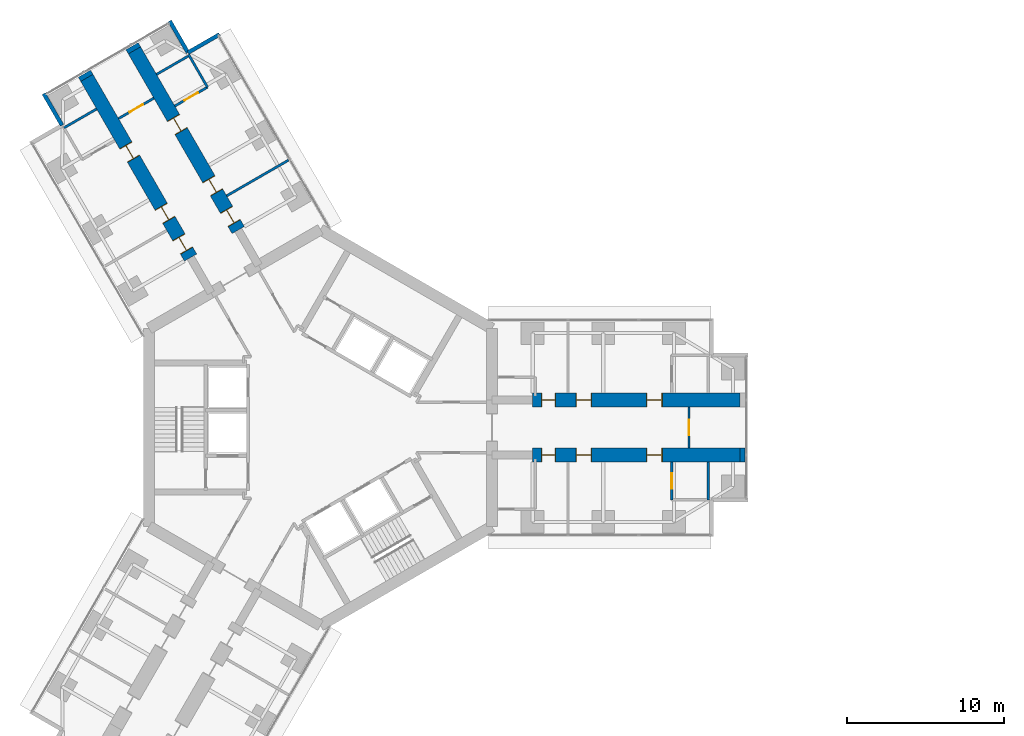
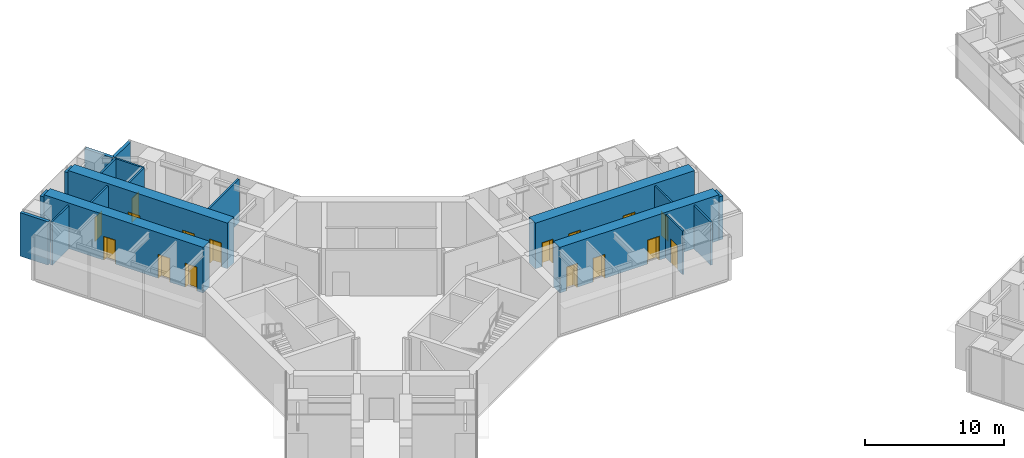
# One storey, part 19 of 24: 19 walls, 16 doors, 16 openings.
"""IFC4 building model written with IfcOpenShell, lengths in metres."""

import ifcopenshell
import ifcopenshell.guid

model = None  # the IFC model being written
_history = None  # IfcOwnerHistory: only IFC2X3 demands one
_inside = {}  # id of a spatial element -> (the spatial element, [elements in it])
_under = {}  # id of a project, library or spatial element -> (it, [spatial elements below it])
_declared = {}  # id of a project -> (the project, [libraries it declares])
_typed = {}  # id of a type object -> (the type object, [elements of that type])
_made_of = {}  # id of a material, layer set ... -> (it, [elements and type objects made of it])


def new_model(schema):
    """Start an empty IFC model of exactly this schema.

    Asked for "IFC4X3", IfcOpenShell would pick the latest addendum, in which some entities
    have other attributes; the version numbers below select the first issue.
    IFC2X3 requires an IfcOwnerHistory on every rooted entity: one is made here for all.
    """
    global model, _history
    if schema == "IFC4X3":
        model = ifcopenshell.file(schema_version=(4, 3, 0, 0))
    else:
        model = ifcopenshell.file(schema=schema)
    _inside.clear()
    _under.clear()
    _declared.clear()
    _typed.clear()
    _made_of.clear()
    _history = None
    if model.schema == "IFC2X3":
        org = make("IfcOrganization", Name="unknown")
        user = make(
            "IfcPersonAndOrganization",
            ThePerson=make("IfcPerson", FamilyName="unknown"),
            TheOrganization=org,
        )
        app = make(
            "IfcApplication",
            ApplicationDeveloper=org,
            Version="unknown",
            ApplicationFullName="unknown",
            ApplicationIdentifier="unknown",
        )
        _history = make(
            "IfcOwnerHistory",
            OwningUser=user,
            OwningApplication=app,
            ChangeAction="ADDED",
            CreationDate=0,
        )
    return model


def make(cls, **values):
    """One entity of the class cls with the attributes given. An attribute that is None is left unset."""
    return model.create_entity(
        cls, **{name: value for name, value in values.items() if value is not None}
    )


def rooted(cls, **values):
    """An entity with a GlobalId (a new one), such as an element, a storey or a relation."""
    return make(cls, GlobalId=ifcopenshell.guid.new(), OwnerHistory=_history, **values)


def si_unit(unit_type, name, prefix=None):
    """IfcSIUnit, for example si_unit("LENGTHUNIT", "METRE", prefix="MILLI")."""
    return make("IfcSIUnit", UnitType=unit_type, Prefix=prefix, Name=name)


def assignment(units):
    """IfcUnitAssignment: the units of a project."""
    return None if units is None else make("IfcUnitAssignment", Units=units)


def point(xyz):
    """IfcCartesianPoint."""
    return None if xyz is None else make("IfcCartesianPoint", Coordinates=xyz)


def direction(xyz):
    """IfcDirection."""
    return None if xyz is None else make("IfcDirection", DirectionRatios=xyz)


def frame(location, z_axis=None, x_axis=None):
    """IfcAxis2Placement3D, a coordinate frame: its origin and axes. An axis left out is left unset."""
    return make(
        "IfcAxis2Placement3D",
        Location=point(location),
        Axis=direction(z_axis),
        RefDirection=direction(x_axis),
    )


def frame_2d(location, x_axis=None):
    """IfcAxis2Placement2D, a coordinate frame in the plane: its origin and x axis."""
    return make(
        "IfcAxis2Placement2D", Location=point(location), RefDirection=direction(x_axis)
    )


def origin():
    """The frame at (0, 0, 0) with its axes left unset."""
    return frame((0.0, 0.0, 0.0))


def place(relative_to, where):
    """IfcLocalPlacement: puts the frame where relative to a parent placement (None: the world)."""
    return make(
        "IfcLocalPlacement", PlacementRelTo=relative_to, RelativePlacement=where
    )


def context(
    kind, dimensions, precision=None, world=None, true_north=None, identifier=None
):
    """IfcGeometricRepresentationContext, for example the 3D "Model" context."""
    return make(
        "IfcGeometricRepresentationContext",
        ContextIdentifier=identifier,
        ContextType=kind,
        CoordinateSpaceDimension=dimensions,
        Precision=precision,
        WorldCoordinateSystem=world,
        TrueNorth=true_north,
    )


def subcontext(parent, identifier, kind, view, scale=None):
    """IfcGeometricRepresentationSubContext, for example "Body" below "Model"."""
    return make(
        "IfcGeometricRepresentationSubContext",
        ContextIdentifier=identifier,
        ContextType=kind,
        ParentContext=parent,
        TargetScale=scale,
        TargetView=view,
    )


def project(units=None, contexts=None):
    """IfcProject with its units and contexts."""
    return rooted(
        "IfcProject",
        Name="project",
        RepresentationContexts=contexts,
        UnitsInContext=assignment(units),
    )


def spatial(cls, under=None, at=None, **own):
    """A site, building, storey or space (cls), placed at a placement, below another one or the project."""
    s = rooted(cls, ObjectPlacement=at, **own)
    if under is not None:
        _under.setdefault(under.id(), (under, []))[1].append(s)
    return s


def profile(cls, at=None, kind="AREA", **sizes):
    """A parametric profile (cls). Its sizes go by their IFC names, for example OverallWidth=200.0."""
    return make(cls, ProfileType=kind, Position=at, **sizes)


def rectangle(**sizes):
    """IfcRectangleProfileDef."""
    return profile("IfcRectangleProfileDef", **sizes)


def extrude(swept, where, along, depth):
    """IfcExtrudedAreaSolid: the profile swept, set in the frame where, extruded along a direction by depth."""
    return make(
        "IfcExtrudedAreaSolid",
        SweptArea=swept,
        Position=where,
        ExtrudedDirection=direction(along),
        Depth=depth,
    )


def shape(context_of_items, identifier, shape_type, items):
    """IfcShapeRepresentation: the items that make up one representation, for example the "Body"."""
    return make(
        "IfcShapeRepresentation",
        ContextOfItems=context_of_items,
        RepresentationIdentifier=identifier,
        RepresentationType=shape_type,
        Items=items,
    )


def material(Name=None, Category=None):
    """IfcMaterial."""
    return make("IfcMaterial", Name=Name, Category=Category)


def layer(
    of_material, thickness, ventilated=None, Name=None, Category=None, Priority=None
):
    """IfcMaterialLayer: one layer of a wall or slab, of a material (None: an air gap)."""
    return make(
        "IfcMaterialLayer",
        Material=of_material,
        LayerThickness=thickness,
        IsVentilated=ventilated,
        Name=Name,
        Category=Category,
        Priority=Priority,
    )


def layer_set(layers, Name=None):
    """IfcMaterialLayerSet."""
    return make("IfcMaterialLayerSet", MaterialLayers=layers, LayerSetName=Name)


def made_of(thing, what):
    """Note that an element or type object is made of a material, layer set ...; save() writes the relation."""
    if what is not None:
        _made_of.setdefault(what.id(), (what, []))[1].append(thing)
    return thing


def type_object(cls, material=None, **own):
    """A type object (cls), such as IfcWallType, which elements share."""
    return made_of(rooted(cls, **own), material)


def element(
    cls,
    number,
    at=None,
    inside=None,
    cuts=None,
    type_object=None,
    material=None,
    context=None,
    identifier="Body",
    shape_type=None,
    held_by="IfcProductDefinitionShape",
    body=None,
    shapes=None,
    **own,
):
    """One element of the class cls, such as IfcWall. Its Tag is "e" and its number.

    at: its placement. inside: the storey or other place that contains it. cuts: it is an
    opening in that element (IfcRelVoidsElement). A single representation is given by context,
    identifier, shape_type and body (its items); several are given by shapes. held_by: the class
    of the entity that holds the representations. save() writes the other relations.
    """
    e = rooted(cls, Tag="e%d" % number, ObjectPlacement=at, **own)
    if body is not None:
        shapes = [shape(context, identifier, shape_type, body)]
    if shapes is not None:
        e.Representation = make(held_by, Representations=shapes)
    if inside is not None:
        _inside.setdefault(inside.id(), (inside, []))[1].append(e)
    if cuts is not None:
        rooted(
            "IfcRelVoidsElement", RelatingBuildingElement=cuts, RelatedOpeningElement=e
        )
    if type_object is not None:
        _typed.setdefault(type_object.id(), (type_object, []))[1].append(e)
    return made_of(e, material)


def fill(opening, filler):
    """IfcRelFillsElement: the door or window that sits in an opening."""
    return rooted(
        "IfcRelFillsElement",
        RelatingOpeningElement=opening,
        RelatedBuildingElement=filler,
    )


def aggregate(whole, parts):
    """IfcRelAggregates: a whole, such as a stair, and the parts it consists of."""
    return rooted("IfcRelAggregates", RelatingObject=whole, RelatedObjects=parts)


def save(model, path):
    """Write the relations noted so far, then the file.

    IfcRelAggregates (storeys below a building ...), IfcRelContainedInSpatialStructure (elements
    in a storey), IfcRelDefinesByType, IfcRelAssociatesMaterial and IfcRelDeclares: one each for
    every whole, place, type object, material and project.
    """
    for whole, parts in _under.values():
        aggregate(whole, parts)
    for where, things in _inside.values():
        rooted(
            "IfcRelContainedInSpatialStructure",
            RelatedElements=things,
            RelatingStructure=where,
        )
    for kind, things in _typed.values():
        rooted("IfcRelDefinesByType", RelatedObjects=things, RelatingType=kind)
    for what, things in _made_of.values():
        rooted("IfcRelAssociatesMaterial", RelatedObjects=things, RelatingMaterial=what)
    for by, libraries in _declared.values():
        rooted("IfcRelDeclares", RelatingContext=by, RelatedDefinitions=libraries)
    model.write(path)


model = new_model("IFC4")

# Units and contexts
model_context = context("Model", 3, precision=1e-05, world=origin(), true_north=direction((0.0, 1.0)))
body_context = subcontext(model_context, "Body", "Model", "MODEL_VIEW")
ifc_project = project(units=[si_unit("LENGTHUNIT", "METRE"), si_unit("AREAUNIT", "SQUARE_METRE"), si_unit("VOLUMEUNIT", "CUBIC_METRE"), si_unit("PLANEANGLEUNIT", "RADIAN"), si_unit("MASSUNIT", "GRAM", prefix="KILO")], contexts=[model_context])

# Site, building, storey
site_placement = place(None, origin())
site = spatial("IfcSite", under=ifc_project, at=site_placement, CompositionType="ELEMENT")
building_placement = place(site_placement, origin())
building = spatial("IfcBuilding", under=site, at=building_placement, Name="Upepo Twin Towers", CompositionType="ELEMENT")
storey_placement = place(building_placement, frame((0.0, 0.0, 48.5)))
storey = spatial("IfcBuildingStorey", under=building, at=storey_placement, Name="L11", CompositionType="ELEMENT", Elevation=48.5)

# Walls
ifc_material_1 = material(Name="Dense concrete blockwork", Category="masonry")
ifc_layer_1 = layer(ifc_material_1, 0.89990234375)
ifc_layer_set_1 = layer_set([ifc_layer_1], Name="Buttress closer 900, blockwork with fire-stopping to the curtain wall")
wall_type_1 = type_object("IfcWallType", Name="Buttress closer 900, blockwork with fire-stopping to the curtain wall", PredefinedType="PARTITIONING", material=ifc_layer_set_1)
for number, where, z_axis, x_axis, name in (
    (1, (26.699951171875, -1.75, 0.0), (0.0, 0.0, 1.0), (1.0, 0.0, 0.0), "T1 L11 wing A buttress closer R"),
    (2, (-14.865478515625, 22.247802734375, 0.0), (0.0, 0.0, 1.0), (-0.499949632511, 0.866054481515, 0.0), "T1 L11 wing B buttress closer L"),
    (3, (-11.83447265625, 23.997802734375, 0.0), (0.0, 0.0, 1.0), (-0.499949632511, 0.866054481515, 0.0), "T1 L11 wing B buttress closer R"),
):
    element("IfcWall", number, at=place(storey_placement, frame(where, z_axis=z_axis, x_axis=x_axis)), inside=storey, type_object=wall_type_1, Name=name, PredefinedType="PARTITIONING", context=body_context, shape_type="SweptSolid", body=[
        extrude(rectangle(XDim=0.31005859375, YDim=0.89990234375, at=frame_2d((0.155029296875, 0.0))), origin(), (0.0, 0.0, 1.0), 3.800048828125),
    ])

# Wall, openings, doors
ifc_material_2 = material(Name="Concrete C60/75", Category="concrete")
ifc_layer_2 = layer(ifc_material_2, 0.89990234375)
ifc_layer_set_2 = layer_set([ifc_layer_2], Name="Concrete C60/75")
wall_type_2 = type_object("IfcWallType", Name="Buttress wall 900 RC", PredefinedType="SHEAR", material=ifc_layer_set_2)
wall_1_placement = place(storey_placement, frame((13.5, 1.75, 0.0), z_axis=(0.0, 0.0, 1.0), x_axis=(1.0, 0.0, 0.0)))
wall_1 = element("IfcWall", 4, at=wall_1_placement, inside=storey, type_object=wall_type_2, Name="T1 wing A buttress wall L part 2", PredefinedType="SHEAR", context=body_context, shape_type="SweptSolid", body=[
    extrude(rectangle(XDim=13.199951171875, YDim=0.89990234375, at=frame_2d((6.60009765625, 0.0))), origin(), (0.0, 0.0, 1.0), 4.0),
])
opening_1_placement = place(wall_1_placement, frame((0.550048828125, 0.0, 0.0)))
opening_1 = element("IfcOpeningElement", 5, at=opening_1_placement, cuts=wall_1, Name="Opening D11", PredefinedType="OPENING", context=body_context, shape_type="SweptSolid", body=[
    extrude(rectangle(XDim=0.89990234375, YDim=2.10009765625, at=frame_2d((0.449951171875, 1.050048828125))), frame((0.0, 0.4599609375, 0.0), z_axis=(0.0, -1.0, 0.0), x_axis=(1.0, 0.0, 0.0)), (0.0, 0.0, 1.0), 0.919921875),
])
opening_2_placement = place(wall_1_placement, frame((2.75, 0.0, 0.0)))
opening_2 = element("IfcOpeningElement", 6, at=opening_2_placement, cuts=wall_1, Name="Opening D1", PredefinedType="OPENING", context=body_context, shape_type="SweptSolid", body=[
    extrude(rectangle(XDim=1.0, YDim=2.10009765625, at=frame_2d((0.5, 1.050048828125))), frame((0.0, 0.4599609375, 0.0), z_axis=(0.0, -1.0, 0.0), x_axis=(1.0, 0.0, 0.0)), (0.0, 0.0, 1.0), 0.919921875),
])
opening_3_placement = place(wall_1_placement, frame((7.25, 0.0, 0.0)))
opening_3 = element("IfcOpeningElement", 7, at=opening_3_placement, cuts=wall_1, Name="Opening D1", PredefinedType="OPENING", context=body_context, shape_type="SweptSolid", body=[
    extrude(rectangle(XDim=1.0, YDim=2.10009765625, at=frame_2d((0.5, 1.050048828125))), frame((0.0, 0.4599609375, 0.0), z_axis=(0.0, -1.0, 0.0), x_axis=(1.0, 0.0, 0.0)), (0.0, 0.0, 1.0), 0.919921875),
])
ifc_material_3 = material(Name="Timber doorset", Category="wood")
door_type_1 = type_object("IfcDoorType", Name="Room door 1000 FD30", OperationType="SINGLE_SWING_LEFT", PredefinedType="DOOR", material=ifc_material_3)
door_1_placement = place(opening_2_placement, origin())
door_1 = element("IfcDoor", 8, at=door_1_placement, inside=storey, type_object=door_type_1, Name="T1 L11 teaching laboratory door", OperationType="SINGLE_SWING_LEFT", OverallHeight=2.10009765625, OverallWidth=1.0, PredefinedType="DOOR", context=body_context, shape_type="SweptSolid", body=[
    extrude(rectangle(XDim=0.92, YDim=2.06009765625, at=frame_2d((0.5, 1.030029296875))), frame((0.0, 0.02490234375, 0.0), z_axis=(0.0, -1.0, 0.0), x_axis=(1.0, 0.0, 0.0)), (0.0, 0.0, 1.0), 0.050048828125),
    extrude(rectangle(XDim=0.04, YDim=2.10009765625, at=frame_2d((0.02001953125, 1.050048828125))), frame((0.0, 0.44970703125, 0.0), z_axis=(0.0, -1.0, 0.0), x_axis=(1.0, 0.0, 0.0)), (0.0, 0.0, 1.0), 0.8994140625),
    extrude(rectangle(XDim=0.04, YDim=2.10009765625, at=frame_2d((0.97998046875, 1.050048828125))), frame((0.0, 0.44970703125, 0.0), z_axis=(0.0, -1.0, 0.0), x_axis=(1.0, 0.0, 0.0)), (0.0, 0.0, 1.0), 0.8994140625),
    extrude(rectangle(XDim=0.92, YDim=0.04, at=frame_2d((0.5, 2.080078125))), frame((0.0, 0.44970703125, 0.0), z_axis=(0.0, -1.0, 0.0), x_axis=(1.0, 0.0, 0.0)), (0.0, 0.0, 1.0), 0.8994140625),
])
fill(opening_2, door_1)
door_2_placement = place(opening_3_placement, origin())
door_2 = element("IfcDoor", 9, at=door_2_placement, inside=storey, type_object=door_type_1, Name="T1 L11 teaching laboratory door", OperationType="SINGLE_SWING_RIGHT", OverallHeight=2.10009765625, OverallWidth=1.0, PredefinedType="DOOR", context=body_context, shape_type="SweptSolid", body=[
    extrude(rectangle(XDim=0.92, YDim=2.06009765625, at=frame_2d((0.5, 1.030029296875))), frame((0.0, 0.02490234375, 0.0), z_axis=(0.0, -1.0, 0.0), x_axis=(1.0, 0.0, 0.0)), (0.0, 0.0, 1.0), 0.050048828125),
    extrude(rectangle(XDim=0.04, YDim=2.10009765625, at=frame_2d((0.02001953125, 1.050048828125))), frame((0.0, 0.44970703125, 0.0), z_axis=(0.0, -1.0, 0.0), x_axis=(1.0, 0.0, 0.0)), (0.0, 0.0, 1.0), 0.8994140625),
    extrude(rectangle(XDim=0.04, YDim=2.10009765625, at=frame_2d((0.97998046875, 1.050048828125))), frame((0.0, 0.44970703125, 0.0), z_axis=(0.0, -1.0, 0.0), x_axis=(1.0, 0.0, 0.0)), (0.0, 0.0, 1.0), 0.8994140625),
    extrude(rectangle(XDim=0.92, YDim=0.04, at=frame_2d((0.5, 2.080078125))), frame((0.0, 0.44970703125, 0.0), z_axis=(0.0, -1.0, 0.0), x_axis=(1.0, 0.0, 0.0)), (0.0, 0.0, 1.0), 0.8994140625),
])
fill(opening_3, door_2)
ifc_material_4 = material(Name="Timber doorset", Category="wood")
door_type_2 = type_object("IfcDoorType", Name="Toilet door 900", OperationType="SINGLE_SWING_LEFT", PredefinedType="DOOR", material=ifc_material_4)
door_3_placement = place(opening_1_placement, origin())
door_3 = element("IfcDoor", 10, at=door_3_placement, inside=storey, type_object=door_type_2, Name="T1 L11 toilets door", OperationType="SINGLE_SWING_LEFT", OverallHeight=2.10009765625, OverallWidth=0.89990234375, PredefinedType="DOOR", context=body_context, shape_type="SweptSolid", body=[
    extrude(rectangle(XDim=0.81990234375, YDim=2.06009765625, at=frame_2d((0.449951171875, 1.030029296875))), frame((0.0, 0.02490234375, 0.0), z_axis=(0.0, -1.0, 0.0), x_axis=(1.0, 0.0, 0.0)), (0.0, 0.0, 1.0), 0.050048828125),
    extrude(rectangle(XDim=0.04, YDim=2.10009765625, at=frame_2d((0.02001953125, 1.050048828125))), frame((0.0, 0.44970703125, 0.0), z_axis=(0.0, -1.0, 0.0), x_axis=(1.0, 0.0, 0.0)), (0.0, 0.0, 1.0), 0.8994140625),
    extrude(rectangle(XDim=0.04, YDim=2.10009765625, at=frame_2d((0.8798828125, 1.050048828125))), frame((0.0, 0.44970703125, 0.0), z_axis=(0.0, -1.0, 0.0), x_axis=(1.0, 0.0, 0.0)), (0.0, 0.0, 1.0), 0.8994140625),
    extrude(rectangle(XDim=0.81990234375, YDim=0.04, at=frame_2d((0.449951171875, 2.080078125))), frame((0.0, 0.44970703125, 0.0), z_axis=(0.0, -1.0, 0.0), x_axis=(1.0, 0.0, 0.0)), (0.0, 0.0, 1.0), 0.8994140625),
])
fill(opening_1, door_3)

wall_2_placement = place(storey_placement, frame((13.5, -1.75, 0.0), z_axis=(0.0, 0.0, 1.0), x_axis=(1.0, 0.0, 0.0)))
wall_2 = element("IfcWall", 11, at=wall_2_placement, inside=storey, type_object=wall_type_2, Name="T1 wing A buttress wall R part 2", PredefinedType="SHEAR", context=body_context, shape_type="SweptSolid", body=[
    extrude(rectangle(XDim=13.199951171875, YDim=0.89990234375, at=frame_2d((6.60009765625, 0.0))), origin(), (0.0, 0.0, 1.0), 4.0),
])
opening_4_placement = place(wall_2_placement, frame((0.550048828125, 0.0, 0.0)))
opening_4 = element("IfcOpeningElement", 12, at=opening_4_placement, cuts=wall_2, Name="Opening D11", PredefinedType="OPENING", context=body_context, shape_type="SweptSolid", body=[
    extrude(rectangle(XDim=0.89990234375, YDim=2.10009765625, at=frame_2d((0.449951171875, 1.050048828125))), frame((0.0, 0.4599609375, 0.0), z_axis=(0.0, -1.0, 0.0), x_axis=(1.0, 0.0, 0.0)), (0.0, 0.0, 1.0), 0.919921875),
])
opening_5_placement = place(wall_2_placement, frame((2.75, 0.0, 0.0)))
opening_5 = element("IfcOpeningElement", 13, at=opening_5_placement, cuts=wall_2, Name="Opening D1", PredefinedType="OPENING", context=body_context, shape_type="SweptSolid", body=[
    extrude(rectangle(XDim=1.0, YDim=2.10009765625, at=frame_2d((0.5, 1.050048828125))), frame((0.0, 0.4599609375, 0.0), z_axis=(0.0, -1.0, 0.0), x_axis=(1.0, 0.0, 0.0)), (0.0, 0.0, 1.0), 0.919921875),
])
opening_6_placement = place(wall_2_placement, frame((7.25, 0.0, 0.0)))
opening_6 = element("IfcOpeningElement", 14, at=opening_6_placement, cuts=wall_2, Name="Opening D1", PredefinedType="OPENING", context=body_context, shape_type="SweptSolid", body=[
    extrude(rectangle(XDim=1.0, YDim=2.10009765625, at=frame_2d((0.5, 1.050048828125))), frame((0.0, 0.4599609375, 0.0), z_axis=(0.0, -1.0, 0.0), x_axis=(1.0, 0.0, 0.0)), (0.0, 0.0, 1.0), 0.919921875),
])
door_4_placement = place(opening_5_placement, origin())
door_4 = element("IfcDoor", 15, at=door_4_placement, inside=storey, type_object=door_type_1, Name="T1 L11 teaching laboratory door", OperationType="SINGLE_SWING_LEFT", OverallHeight=2.10009765625, OverallWidth=1.0, PredefinedType="DOOR", context=body_context, shape_type="SweptSolid", body=[
    extrude(rectangle(XDim=0.92, YDim=2.06009765625, at=frame_2d((0.5, 1.030029296875))), frame((0.0, 0.02490234375, 0.0), z_axis=(0.0, -1.0, 0.0), x_axis=(1.0, 0.0, 0.0)), (0.0, 0.0, 1.0), 0.050048828125),
    extrude(rectangle(XDim=0.04, YDim=2.10009765625, at=frame_2d((0.02001953125, 1.050048828125))), frame((0.0, 0.44970703125, 0.0), z_axis=(0.0, -1.0, 0.0), x_axis=(1.0, 0.0, 0.0)), (0.0, 0.0, 1.0), 0.8994140625),
    extrude(rectangle(XDim=0.04, YDim=2.10009765625, at=frame_2d((0.97998046875, 1.050048828125))), frame((0.0, 0.44970703125, 0.0), z_axis=(0.0, -1.0, 0.0), x_axis=(1.0, 0.0, 0.0)), (0.0, 0.0, 1.0), 0.8994140625),
    extrude(rectangle(XDim=0.92, YDim=0.04, at=frame_2d((0.5, 2.080078125))), frame((0.0, 0.44970703125, 0.0), z_axis=(0.0, -1.0, 0.0), x_axis=(1.0, 0.0, 0.0)), (0.0, 0.0, 1.0), 0.8994140625),
])
fill(opening_5, door_4)
door_5_placement = place(opening_6_placement, origin())
door_5 = element("IfcDoor", 16, at=door_5_placement, inside=storey, type_object=door_type_1, Name="T1 L11 teaching laboratory door", OperationType="SINGLE_SWING_RIGHT", OverallHeight=2.10009765625, OverallWidth=1.0, PredefinedType="DOOR", context=body_context, shape_type="SweptSolid", body=[
    extrude(rectangle(XDim=0.92, YDim=2.06009765625, at=frame_2d((0.5, 1.030029296875))), frame((0.0, 0.02490234375, 0.0), z_axis=(0.0, -1.0, 0.0), x_axis=(1.0, 0.0, 0.0)), (0.0, 0.0, 1.0), 0.050048828125),
    extrude(rectangle(XDim=0.04, YDim=2.10009765625, at=frame_2d((0.02001953125, 1.050048828125))), frame((0.0, 0.44970703125, 0.0), z_axis=(0.0, -1.0, 0.0), x_axis=(1.0, 0.0, 0.0)), (0.0, 0.0, 1.0), 0.8994140625),
    extrude(rectangle(XDim=0.04, YDim=2.10009765625, at=frame_2d((0.97998046875, 1.050048828125))), frame((0.0, 0.44970703125, 0.0), z_axis=(0.0, -1.0, 0.0), x_axis=(1.0, 0.0, 0.0)), (0.0, 0.0, 1.0), 0.8994140625),
    extrude(rectangle(XDim=0.92, YDim=0.04, at=frame_2d((0.5, 2.080078125))), frame((0.0, 0.44970703125, 0.0), z_axis=(0.0, -1.0, 0.0), x_axis=(1.0, 0.0, 0.0)), (0.0, 0.0, 1.0), 0.8994140625),
])
fill(opening_6, door_5)
door_6_placement = place(opening_4_placement, origin())
door_6 = element("IfcDoor", 17, at=door_6_placement, inside=storey, type_object=door_type_2, Name="T1 L11 accessible wc door", OperationType="SINGLE_SWING_LEFT", OverallHeight=2.10009765625, OverallWidth=0.89990234375, PredefinedType="DOOR", context=body_context, shape_type="SweptSolid", body=[
    extrude(rectangle(XDim=0.81990234375, YDim=2.06009765625, at=frame_2d((0.449951171875, 1.030029296875))), frame((0.0, 0.02490234375, 0.0), z_axis=(0.0, -1.0, 0.0), x_axis=(1.0, 0.0, 0.0)), (0.0, 0.0, 1.0), 0.050048828125),
    extrude(rectangle(XDim=0.04, YDim=2.10009765625, at=frame_2d((0.02001953125, 1.050048828125))), frame((0.0, 0.44970703125, 0.0), z_axis=(0.0, -1.0, 0.0), x_axis=(1.0, 0.0, 0.0)), (0.0, 0.0, 1.0), 0.8994140625),
    extrude(rectangle(XDim=0.04, YDim=2.10009765625, at=frame_2d((0.8798828125, 1.050048828125))), frame((0.0, 0.44970703125, 0.0), z_axis=(0.0, -1.0, 0.0), x_axis=(1.0, 0.0, 0.0)), (0.0, 0.0, 1.0), 0.8994140625),
    extrude(rectangle(XDim=0.81990234375, YDim=0.04, at=frame_2d((0.449951171875, 2.080078125))), frame((0.0, 0.44970703125, 0.0), z_axis=(0.0, -1.0, 0.0), x_axis=(1.0, 0.0, 0.0)), (0.0, 0.0, 1.0), 0.8994140625),
])
fill(opening_4, door_6)

wall_3_placement = place(storey_placement, frame((-8.265625, 10.81640625, 0.0), z_axis=(0.0, 0.0, 1.0), x_axis=(-0.499996231654, 0.866027579429, 0.0)))
wall_3 = element("IfcWall", 18, at=wall_3_placement, inside=storey, type_object=wall_type_2, Name="T1 wing B buttress wall L part 2", PredefinedType="SHEAR", context=body_context, shape_type="SweptSolid", body=[
    extrude(rectangle(XDim=13.19970703125, YDim=0.89990234375, at=frame_2d((6.599853515625, 0.0))), origin(), (0.0, 0.0, 1.0), 4.0),
])
opening_7_placement = place(wall_3_placement, frame((0.5, 0.0, 0.0)))
opening_7 = element("IfcOpeningElement", 19, at=opening_7_placement, cuts=wall_3, Name="Opening D1", PredefinedType="OPENING", context=body_context, shape_type="SweptSolid", body=[
    extrude(rectangle(XDim=1.0, YDim=2.10009765625, at=frame_2d((0.5, 1.050048828125))), frame((0.0, 0.4599609375, 0.0), z_axis=(0.0, -1.0, 0.0), x_axis=(1.0, 0.0, 0.0)), (0.0, 0.0, 1.0), 0.919921875),
])
opening_8_placement = place(wall_3_placement, frame((2.75, 0.0, 0.0)))
opening_8 = element("IfcOpeningElement", 20, at=opening_8_placement, cuts=wall_3, Name="Opening D1", PredefinedType="OPENING", context=body_context, shape_type="SweptSolid", body=[
    extrude(rectangle(XDim=1.0, YDim=2.10009765625, at=frame_2d((0.5, 1.050048828125))), frame((0.0, 0.4599609375, 0.0), z_axis=(0.0, -1.0, 0.0), x_axis=(1.0, 0.0, 0.0)), (0.0, 0.0, 1.0), 0.919921875),
])
opening_9_placement = place(wall_3_placement, frame((7.25, 0.0, 0.0)))
opening_9 = element("IfcOpeningElement", 21, at=opening_9_placement, cuts=wall_3, Name="Opening D1", PredefinedType="OPENING", context=body_context, shape_type="SweptSolid", body=[
    extrude(rectangle(XDim=1.0, YDim=2.10009765625, at=frame_2d((0.5, 1.050048828125))), frame((0.0, 0.4599609375, 0.0), z_axis=(0.0, -1.0, 0.0), x_axis=(1.0, 0.0, 0.0)), (0.0, 0.0, 1.0), 0.919921875),
])
door_7_placement = place(opening_7_placement, origin())
door_7 = element("IfcDoor", 22, at=door_7_placement, inside=storey, type_object=door_type_1, Name="T1 L11 seminar room door", OperationType="SINGLE_SWING_LEFT", OverallHeight=2.10009765625, OverallWidth=1.0, PredefinedType="DOOR", context=body_context, shape_type="SweptSolid", body=[
    extrude(rectangle(XDim=0.92, YDim=2.06009765625, at=frame_2d((0.5, 1.030029296875))), frame((0.0, 0.02490234375, 0.0), z_axis=(0.0, -1.0, 0.0), x_axis=(1.0, 0.0, 0.0)), (0.0, 0.0, 1.0), 0.050048828125),
    extrude(rectangle(XDim=0.04, YDim=2.10009765625, at=frame_2d((0.02001953125, 1.050048828125))), frame((0.0, 0.44970703125, 0.0), z_axis=(0.0, -1.0, 0.0), x_axis=(1.0, 0.0, 0.0)), (0.0, 0.0, 1.0), 0.8994140625),
    extrude(rectangle(XDim=0.04, YDim=2.10009765625, at=frame_2d((0.97998046875, 1.050048828125))), frame((0.0, 0.44970703125, 0.0), z_axis=(0.0, -1.0, 0.0), x_axis=(1.0, 0.0, 0.0)), (0.0, 0.0, 1.0), 0.8994140625),
    extrude(rectangle(XDim=0.92, YDim=0.04, at=frame_2d((0.5, 2.080078125))), frame((0.0, 0.44970703125, 0.0), z_axis=(0.0, -1.0, 0.0), x_axis=(1.0, 0.0, 0.0)), (0.0, 0.0, 1.0), 0.8994140625),
])
fill(opening_7, door_7)
door_8_placement = place(opening_8_placement, origin())
door_8 = element("IfcDoor", 23, at=door_8_placement, inside=storey, type_object=door_type_1, Name="T1 L11 teaching laboratory door", OperationType="SINGLE_SWING_LEFT", OverallHeight=2.10009765625, OverallWidth=1.0, PredefinedType="DOOR", context=body_context, shape_type="SweptSolid", body=[
    extrude(rectangle(XDim=0.92, YDim=2.06009765625, at=frame_2d((0.5, 1.030029296875))), frame((0.0, 0.02490234375, 0.0), z_axis=(0.0, -1.0, 0.0), x_axis=(1.0, 0.0, 0.0)), (0.0, 0.0, 1.0), 0.050048828125),
    extrude(rectangle(XDim=0.04, YDim=2.10009765625, at=frame_2d((0.02001953125, 1.050048828125))), frame((0.0, 0.44970703125, 0.0), z_axis=(0.0, -1.0, 0.0), x_axis=(1.0, 0.0, 0.0)), (0.0, 0.0, 1.0), 0.8994140625),
    extrude(rectangle(XDim=0.04, YDim=2.10009765625, at=frame_2d((0.97998046875, 1.050048828125))), frame((0.0, 0.44970703125, 0.0), z_axis=(0.0, -1.0, 0.0), x_axis=(1.0, 0.0, 0.0)), (0.0, 0.0, 1.0), 0.8994140625),
    extrude(rectangle(XDim=0.92, YDim=0.04, at=frame_2d((0.5, 2.080078125))), frame((0.0, 0.44970703125, 0.0), z_axis=(0.0, -1.0, 0.0), x_axis=(1.0, 0.0, 0.0)), (0.0, 0.0, 1.0), 0.8994140625),
])
fill(opening_8, door_8)
door_9_placement = place(opening_9_placement, origin())
door_9 = element("IfcDoor", 24, at=door_9_placement, inside=storey, type_object=door_type_1, Name="T1 L11 teaching laboratory door", OperationType="SINGLE_SWING_RIGHT", OverallHeight=2.10009765625, OverallWidth=1.0, PredefinedType="DOOR", context=body_context, shape_type="SweptSolid", body=[
    extrude(rectangle(XDim=0.92, YDim=2.06009765625, at=frame_2d((0.5, 1.030029296875))), frame((0.0, 0.02490234375, 0.0), z_axis=(0.0, -1.0, 0.0), x_axis=(1.0, 0.0, 0.0)), (0.0, 0.0, 1.0), 0.050048828125),
    extrude(rectangle(XDim=0.04, YDim=2.10009765625, at=frame_2d((0.02001953125, 1.050048828125))), frame((0.0, 0.44970703125, 0.0), z_axis=(0.0, -1.0, 0.0), x_axis=(1.0, 0.0, 0.0)), (0.0, 0.0, 1.0), 0.8994140625),
    extrude(rectangle(XDim=0.04, YDim=2.10009765625, at=frame_2d((0.97998046875, 1.050048828125))), frame((0.0, 0.44970703125, 0.0), z_axis=(0.0, -1.0, 0.0), x_axis=(1.0, 0.0, 0.0)), (0.0, 0.0, 1.0), 0.8994140625),
    extrude(rectangle(XDim=0.92, YDim=0.04, at=frame_2d((0.5, 2.080078125))), frame((0.0, 0.44970703125, 0.0), z_axis=(0.0, -1.0, 0.0), x_axis=(1.0, 0.0, 0.0)), (0.0, 0.0, 1.0), 0.8994140625),
])
fill(opening_9, door_9)

wall_4_placement = place(storey_placement, frame((-5.234375, 12.56640625, 0.0), z_axis=(0.0, 0.0, 1.0), x_axis=(-0.500010103361, 0.866019570528, 0.0)))
wall_4 = element("IfcWall", 25, at=wall_4_placement, inside=storey, type_object=wall_type_2, Name="T1 wing B buttress wall R part 2", PredefinedType="SHEAR", context=body_context, shape_type="SweptSolid", body=[
    extrude(rectangle(XDim=13.199951171875, YDim=0.89990234375, at=frame_2d((6.60009765625, 0.0))), origin(), (0.0, 0.0, 1.0), 4.0),
])
opening_10_placement = place(wall_4_placement, frame((0.5, 0.0, 0.0)))
opening_10 = element("IfcOpeningElement", 26, at=opening_10_placement, cuts=wall_4, Name="Opening D1", PredefinedType="OPENING", context=body_context, shape_type="SweptSolid", body=[
    extrude(rectangle(XDim=1.0, YDim=2.10009765625, at=frame_2d((0.5, 1.050048828125))), frame((0.0, 0.4599609375, 0.0), z_axis=(0.0, -1.0, 0.0), x_axis=(1.0, 0.0, 0.0)), (0.0, 0.0, 1.0), 0.919921875),
])
opening_11_placement = place(wall_4_placement, frame((2.75, 0.0, 0.0)))
opening_11 = element("IfcOpeningElement", 27, at=opening_11_placement, cuts=wall_4, Name="Opening D1", PredefinedType="OPENING", context=body_context, shape_type="SweptSolid", body=[
    extrude(rectangle(XDim=1.0, YDim=2.10009765625, at=frame_2d((0.5, 1.050048828125))), frame((0.0, 0.4599609375, 0.0), z_axis=(0.0, -1.0, 0.0), x_axis=(1.0, 0.0, 0.0)), (0.0, 0.0, 1.0), 0.919921875),
])
opening_12_placement = place(wall_4_placement, frame((7.25, 0.0, 0.0)))
opening_12 = element("IfcOpeningElement", 28, at=opening_12_placement, cuts=wall_4, Name="Opening D1", PredefinedType="OPENING", context=body_context, shape_type="SweptSolid", body=[
    extrude(rectangle(XDim=1.0, YDim=2.10009765625, at=frame_2d((0.5, 1.050048828125))), frame((0.0, 0.4599609375, 0.0), z_axis=(0.0, -1.0, 0.0), x_axis=(1.0, 0.0, 0.0)), (0.0, 0.0, 1.0), 0.919921875),
])
door_10_placement = place(opening_10_placement, origin())
door_10 = element("IfcDoor", 29, at=door_10_placement, inside=storey, type_object=door_type_1, Name="T1 L11 staff office door", OperationType="SINGLE_SWING_LEFT", OverallHeight=2.10009765625, OverallWidth=1.0, PredefinedType="DOOR", context=body_context, shape_type="SweptSolid", body=[
    extrude(rectangle(XDim=0.92, YDim=2.06009765625, at=frame_2d((0.5, 1.030029296875))), frame((0.0, 0.02490234375, 0.0), z_axis=(0.0, -1.0, 0.0), x_axis=(1.0, 0.0, 0.0)), (0.0, 0.0, 1.0), 0.050048828125),
    extrude(rectangle(XDim=0.04, YDim=2.10009765625, at=frame_2d((0.02001953125, 1.050048828125))), frame((0.0, 0.44970703125, 0.0), z_axis=(0.0, -1.0, 0.0), x_axis=(1.0, 0.0, 0.0)), (0.0, 0.0, 1.0), 0.8994140625),
    extrude(rectangle(XDim=0.04, YDim=2.10009765625, at=frame_2d((0.97998046875, 1.050048828125))), frame((0.0, 0.44970703125, 0.0), z_axis=(0.0, -1.0, 0.0), x_axis=(1.0, 0.0, 0.0)), (0.0, 0.0, 1.0), 0.8994140625),
    extrude(rectangle(XDim=0.92, YDim=0.04, at=frame_2d((0.5, 2.080078125))), frame((0.0, 0.44970703125, 0.0), z_axis=(0.0, -1.0, 0.0), x_axis=(1.0, 0.0, 0.0)), (0.0, 0.0, 1.0), 0.8994140625),
])
fill(opening_10, door_10)
door_11_placement = place(opening_11_placement, origin())
door_11 = element("IfcDoor", 30, at=door_11_placement, inside=storey, type_object=door_type_1, Name="T1 L11 teaching laboratory door", OperationType="SINGLE_SWING_LEFT", OverallHeight=2.10009765625, OverallWidth=1.0, PredefinedType="DOOR", context=body_context, shape_type="SweptSolid", body=[
    extrude(rectangle(XDim=0.92, YDim=2.06009765625, at=frame_2d((0.5, 1.030029296875))), frame((0.0, 0.02490234375, 0.0), z_axis=(0.0, -1.0, 0.0), x_axis=(1.0, 0.0, 0.0)), (0.0, 0.0, 1.0), 0.050048828125),
    extrude(rectangle(XDim=0.04, YDim=2.10009765625, at=frame_2d((0.02001953125, 1.050048828125))), frame((0.0, 0.44970703125, 0.0), z_axis=(0.0, -1.0, 0.0), x_axis=(1.0, 0.0, 0.0)), (0.0, 0.0, 1.0), 0.8994140625),
    extrude(rectangle(XDim=0.04, YDim=2.10009765625, at=frame_2d((0.97998046875, 1.050048828125))), frame((0.0, 0.44970703125, 0.0), z_axis=(0.0, -1.0, 0.0), x_axis=(1.0, 0.0, 0.0)), (0.0, 0.0, 1.0), 0.8994140625),
    extrude(rectangle(XDim=0.92, YDim=0.04, at=frame_2d((0.5, 2.080078125))), frame((0.0, 0.44970703125, 0.0), z_axis=(0.0, -1.0, 0.0), x_axis=(1.0, 0.0, 0.0)), (0.0, 0.0, 1.0), 0.8994140625),
])
fill(opening_11, door_11)
door_12_placement = place(opening_12_placement, origin())
door_12 = element("IfcDoor", 31, at=door_12_placement, inside=storey, type_object=door_type_1, Name="T1 L11 teaching laboratory door", OperationType="SINGLE_SWING_RIGHT", OverallHeight=2.10009765625, OverallWidth=1.0, PredefinedType="DOOR", context=body_context, shape_type="SweptSolid", body=[
    extrude(rectangle(XDim=0.92, YDim=2.06009765625, at=frame_2d((0.5, 1.030029296875))), frame((0.0, 0.02490234375, 0.0), z_axis=(0.0, -1.0, 0.0), x_axis=(1.0, 0.0, 0.0)), (0.0, 0.0, 1.0), 0.050048828125),
    extrude(rectangle(XDim=0.04, YDim=2.10009765625, at=frame_2d((0.02001953125, 1.050048828125))), frame((0.0, 0.44970703125, 0.0), z_axis=(0.0, -1.0, 0.0), x_axis=(1.0, 0.0, 0.0)), (0.0, 0.0, 1.0), 0.8994140625),
    extrude(rectangle(XDim=0.04, YDim=2.10009765625, at=frame_2d((0.97998046875, 1.050048828125))), frame((0.0, 0.44970703125, 0.0), z_axis=(0.0, -1.0, 0.0), x_axis=(1.0, 0.0, 0.0)), (0.0, 0.0, 1.0), 0.8994140625),
    extrude(rectangle(XDim=0.92, YDim=0.04, at=frame_2d((0.5, 2.080078125))), frame((0.0, 0.44970703125, 0.0), z_axis=(0.0, -1.0, 0.0), x_axis=(1.0, 0.0, 0.0)), (0.0, 0.0, 1.0), 0.8994140625),
])
fill(opening_12, door_12)

# Walls
ifc_material_5 = material(Name="Blockwork with anodised aluminium cladding", Category="masonry")
ifc_layer_3 = layer(ifc_material_5, 0.25)
ifc_layer_set_3 = layer_set([ifc_layer_3], Name="Notch cladding wall 250, pale metal")
wall_type_3 = type_object("IfcWallType", Name="Notch cladding wall 250, pale metal", PredefinedType="STANDARD", material=ifc_layer_set_3)
for number, where, z_axis, x_axis, name in (
    (32, (-16.44287109375, 19.22998046875, 0.0), (0.0, 0.0, 1.0), (-0.500046648681, 0.865998469481, 0.0), "T1 L11 wing B notch wall L2"),
    (33, (-6.418701171875, 25.017333984375, 0.0), (0.0, 0.0, 1.0), (-0.866043940782, -0.499967891604, 0.0), "T1 L11 wing B notch wall R1"),
    (34, (-8.43212890625, 23.85498046875, 0.0), (0.0, 0.0, 1.0), (-0.500046648681, 0.865998469481, 0.0), "T1 L11 wing B notch wall R2"),
):
    element("IfcWall", number, at=place(storey_placement, frame(where, z_axis=z_axis, x_axis=x_axis)), inside=storey, type_object=wall_type_3, Name=name, PredefinedType="STANDARD", context=body_context, shape_type="SweptSolid", body=[
        extrude(rectangle(XDim=2.324951171875, YDim=0.25, at=frame_2d((1.16259765625, 0.0))), origin(), (0.0, 0.0, 1.0), 3.800048828125),
    ])

# Wall, opening, door
ifc_material_6 = material(Name="Gypsum board on steel studs", Category="steel")
ifc_layer_4 = layer(ifc_material_6, 0.14990234375)
ifc_layer_set_4 = layer_set([ifc_layer_4], Name="Teaching partition 150 acoustic")
wall_type_4 = type_object("IfcWallType", Name="Teaching partition 150 acoustic", PredefinedType="PARTITIONING", material=ifc_layer_set_4)
wall_5_placement = place(storey_placement, frame((22.35009765625, -2.199951171875, 0.0), z_axis=(0.0, 0.0, 1.0), x_axis=(0.0, -1.0, 0.0)))
wall_5 = element("IfcWall", 35, at=wall_5_placement, inside=storey, type_object=wall_type_4, Name="T1 inner room partition AR end at 22.35", PredefinedType="PARTITIONING", context=body_context, shape_type="SweptSolid", body=[
    extrude(rectangle(XDim=2.400146484375, YDim=0.14990234375, at=frame_2d((1.2001953125, 0.0))), origin(), (0.0, 0.0, 1.0), 3.800048828125),
])
opening_13_placement = place(wall_5_placement, frame((0.699951171875, 0.0, 0.0)))
opening_13 = element("IfcOpeningElement", 36, at=opening_13_placement, cuts=wall_5, Name="Opening D1", PredefinedType="OPENING", context=body_context, shape_type="SweptSolid", body=[
    extrude(rectangle(XDim=1.0, YDim=2.10009765625, at=frame_2d((0.5, 1.050048828125))), frame((0.0, 0.0849609375, 0.0), z_axis=(0.0, -1.0, 0.0), x_axis=(1.0, 0.0, 0.0)), (0.0, 0.0, 1.0), 0.169921875),
])
door_13_placement = place(opening_13_placement, origin())
door_13 = element("IfcDoor", 37, at=door_13_placement, inside=storey, type_object=door_type_1, Name="T1 L11 inner room door", OperationType="SINGLE_SWING_LEFT", OverallHeight=2.10009765625, OverallWidth=1.0, PredefinedType="DOOR", context=body_context, shape_type="SweptSolid", body=[
    extrude(rectangle(XDim=1.0, YDim=2.10009765625, at=frame_2d((0.5, 1.050048828125))), frame((0.0, 0.02490234375, 0.0), z_axis=(0.0, -1.0, 0.0), x_axis=(1.0, 0.0, 0.0)), (0.0, 0.0, 1.0), 0.050048828125),
])
fill(opening_13, door_13)

# Walls
for number, where, z_axis, x_axis, name in (
    (38, (24.675048828125, -2.199951171875, 0.0), (0.0, 0.0, 1.0), (0.0, -1.0, 0.0), "T1 inner room partition AR end at 24.75"),
    (39, (-14.24267578125, 20.269287109375, 0.0), (0.0, 0.0, 1.0), (-0.866006032174, -0.500033551112, 0.0), "T1 inner room partition BL end at 24.75"),
):
    element("IfcWall", number, at=place(storey_placement, frame(where, z_axis=z_axis, x_axis=x_axis)), inside=storey, type_object=wall_type_4, Name=name, PredefinedType="PARTITIONING", context=body_context, shape_type="SweptSolid", body=[
        extrude(rectangle(XDim=2.400146484375, YDim=0.14990234375, at=frame_2d((1.2001953125, 0.0))), origin(), (0.0, 0.0, 1.0), 3.800048828125),
    ])
wall_6_placement = place(storey_placement, frame((-5.9697265625, 14.739990234375, 0.0), z_axis=(0.0, 0.0, 1.0), x_axis=(0.866035472144, 0.499982560684, 0.0)))
element("IfcWall", 40, at=wall_6_placement, inside=storey, type_object=wall_type_4, Name="T1 partition BR at 15.75", PredefinedType="PARTITIONING", context=body_context, shape_type="SweptSolid", body=[
    extrude(rectangle(XDim=4.550048828125, YDim=0.14990234375, at=frame_2d((2.27490234375, 0.0))), origin(), (0.0, 0.0, 1.0), 3.800048828125),
])
wall_7_placement = place(storey_placement, frame((-7.191162109375, 21.65576171875, 0.0), z_axis=(0.0, 0.0, 1.0), x_axis=(-0.500077600433, 0.865980596518, 0.0)))
element("IfcWall", 41, at=wall_7_placement, inside=storey, type_object=wall_type_4, Name="T1 inner room partition BR at 22.35", PredefinedType="PARTITIONING", context=body_context, shape_type="SweptSolid", body=[
    extrude(rectangle(XDim=2.39990234375, YDim=0.14990234375, at=frame_2d((1.199951171875, 0.0))), origin(), (0.0, 0.0, 1.0), 3.800048828125),
])

# Wall, opening, door
wall_8_placement = place(storey_placement, frame((-9.269775390625, 20.45556640625, 0.0), z_axis=(0.0, 0.0, 1.0), x_axis=(0.866006032174, 0.500033551112, 0.0)))
wall_8 = element("IfcWall", 42, at=wall_8_placement, inside=storey, type_object=wall_type_4, Name="T1 inner room partition BR end at 22.35", PredefinedType="PARTITIONING", context=body_context, shape_type="SweptSolid", body=[
    extrude(rectangle(XDim=2.400146484375, YDim=0.14990234375, at=frame_2d((1.2001953125, 0.0))), origin(), (0.0, 0.0, 1.0), 3.800048828125),
])
opening_14_placement = place(wall_8_placement, frame((0.699951171875, 0.0, 0.0)))
opening_14 = element("IfcOpeningElement", 43, at=opening_14_placement, cuts=wall_8, Name="Opening D1", PredefinedType="OPENING", context=body_context, shape_type="SweptSolid", body=[
    extrude(rectangle(XDim=1.0, YDim=2.10009765625, at=frame_2d((0.5, 1.050048828125))), frame((0.0, 0.0849609375, 0.0), z_axis=(0.0, -1.0, 0.0), x_axis=(1.0, 0.0, 0.0)), (0.0, 0.0, 1.0), 0.169921875),
])
door_14_placement = place(opening_14_placement, origin())
door_14 = element("IfcDoor", 44, at=door_14_placement, inside=storey, type_object=door_type_1, Name="T1 L11 inner room door", OperationType="SINGLE_SWING_LEFT", OverallHeight=2.10009765625, OverallWidth=1.0, PredefinedType="DOOR", context=body_context, shape_type="SweptSolid", body=[
    extrude(rectangle(XDim=1.0, YDim=2.10009765625, at=frame_2d((0.5, 1.050048828125))), frame((0.0, 0.02490234375, 0.0), z_axis=(0.0, -1.0, 0.0), x_axis=(1.0, 0.0, 0.0)), (0.0, 0.0, 1.0), 0.050048828125),
])
fill(opening_14, door_14)

# Wall
wall_9_placement = place(storey_placement, frame((-10.43212890625, 22.46923828125, 0.0), z_axis=(0.0, 0.0, 1.0), x_axis=(0.866024647952, 0.500001309137, 0.0)))
element("IfcWall", 45, at=wall_9_placement, inside=storey, type_object=wall_type_4, Name="T1 inner room partition BR end at 24.75", PredefinedType="PARTITIONING", context=body_context, shape_type="SweptSolid", body=[
    extrude(rectangle(XDim=2.39990234375, YDim=0.14990234375, at=frame_2d((1.199951171875, 0.0))), origin(), (0.0, 0.0, 1.0), 3.800048828125),
])

# Wall, opening, door
wall_10_placement = place(storey_placement, frame((23.449951171875, -1.300048828125, 0.0), z_axis=(0.0, 0.0, 1.0), x_axis=(0.0, 1.0, 0.0)))
wall_10 = element("IfcWall", 46, at=wall_10_placement, inside=storey, type_object=wall_type_4, Name="T1 corridor end partition A at 23.45", PredefinedType="PARTITIONING", context=body_context, shape_type="SweptSolid", body=[
    extrude(rectangle(XDim=2.60009765625, YDim=0.14990234375, at=frame_2d((1.300048828125, 0.0))), origin(), (0.0, 0.0, 1.0), 3.800048828125),
])
opening_15_placement = place(wall_10_placement, frame((0.800048828125, 0.0, 0.0)))
opening_15 = element("IfcOpeningElement", 47, at=opening_15_placement, cuts=wall_10, Name="Opening D1", PredefinedType="OPENING", context=body_context, shape_type="SweptSolid", body=[
    extrude(rectangle(XDim=1.0, YDim=2.10009765625, at=frame_2d((0.5, 1.050048828125))), frame((0.0, 0.0849609375, 0.0), z_axis=(0.0, -1.0, 0.0), x_axis=(1.0, 0.0, 0.0)), (0.0, 0.0, 1.0), 0.169921875),
])
door_15_placement = place(opening_15_placement, origin())
door_15 = element("IfcDoor", 48, at=door_15_placement, inside=storey, type_object=door_type_1, Name="T1 L11 breakout study room door", OperationType="SINGLE_SWING_LEFT", OverallHeight=2.10009765625, OverallWidth=1.0, PredefinedType="DOOR", context=body_context, shape_type="SweptSolid", body=[
    extrude(rectangle(XDim=1.0, YDim=2.10009765625, at=frame_2d((0.5, 1.050048828125))), frame((0.0, 0.02490234375, 0.0), z_axis=(0.0, -1.0, 0.0), x_axis=(1.0, 0.0, 0.0)), (0.0, 0.0, 1.0), 0.050048828125),
])
fill(opening_15, door_15)

wall_11_placement = place(storey_placement, frame((-10.59912109375, 20.958251953125, 0.0), z_axis=(0.0, 0.0, 1.0), x_axis=(-0.866021400173, -0.500006934395, 0.0)))
wall_11 = element("IfcWall", 49, at=wall_11_placement, inside=storey, type_object=wall_type_4, Name="T1 corridor end partition B at 23.45", PredefinedType="PARTITIONING", context=body_context, shape_type="SweptSolid", body=[
    extrude(rectangle(XDim=2.60009765625, YDim=0.14990234375, at=frame_2d((1.300048828125, 0.0))), origin(), (0.0, 0.0, 1.0), 3.800048828125),
])
opening_16_placement = place(wall_11_placement, frame((0.800048828125, 0.0, 0.0)))
opening_16 = element("IfcOpeningElement", 50, at=opening_16_placement, cuts=wall_11, Name="Opening D1", PredefinedType="OPENING", context=body_context, shape_type="SweptSolid", body=[
    extrude(rectangle(XDim=1.0, YDim=2.10009765625, at=frame_2d((0.5, 1.050048828125))), frame((0.0, 0.0849609375, 0.0), z_axis=(0.0, -1.0, 0.0), x_axis=(1.0, 0.0, 0.0)), (0.0, 0.0, 1.0), 0.169921875),
])
door_16_placement = place(opening_16_placement, origin())
door_16 = element("IfcDoor", 51, at=door_16_placement, inside=storey, type_object=door_type_1, Name="T1 L11 breakout study room door", OperationType="SINGLE_SWING_RIGHT", OverallHeight=2.10009765625, OverallWidth=1.0, PredefinedType="DOOR", context=body_context, shape_type="SweptSolid", body=[
    extrude(rectangle(XDim=1.0, YDim=2.10009765625, at=frame_2d((0.5, 1.050048828125))), frame((0.0, 0.02490234375, 0.0), z_axis=(0.0, -1.0, 0.0), x_axis=(1.0, 0.0, 0.0)), (0.0, 0.0, 1.0), 0.050048828125),
])
fill(opening_16, door_16)

save(model, "model.ifc")
